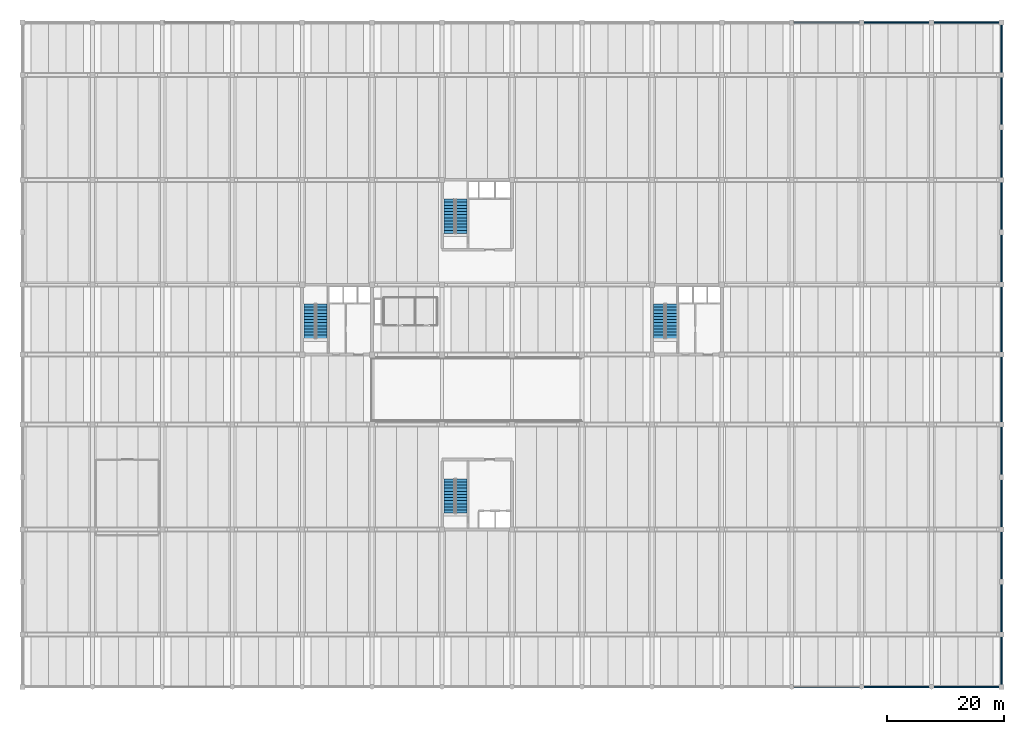
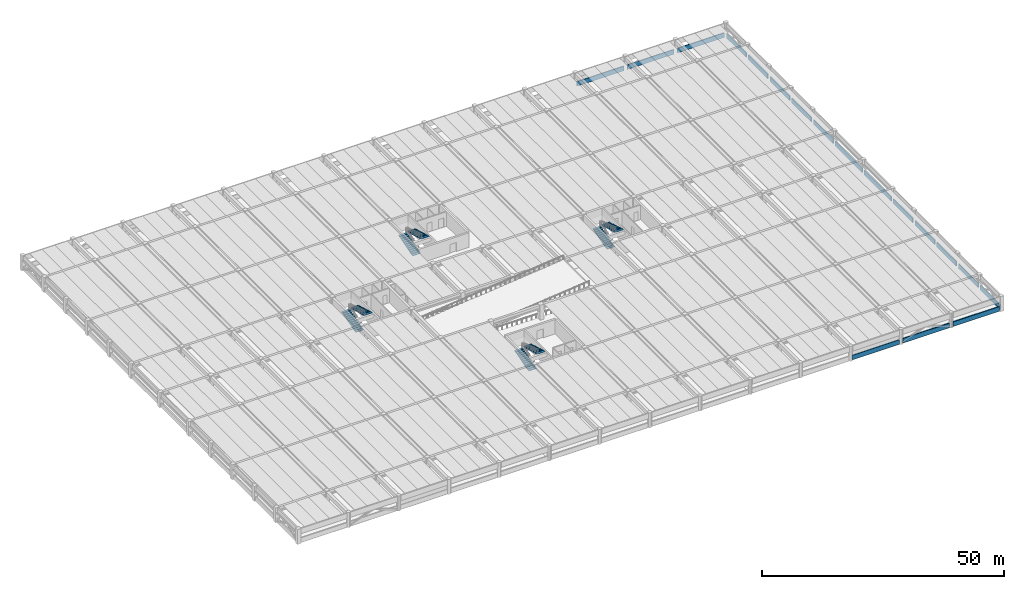
# One storey, part 12 of 19: 18 walls, 8 stair flights, 4 elements without a shape of their own.
"""IFC4 building model written with IfcOpenShell, lengths in metres."""

from ifc_helpers import new_model, si_unit, direction, frame, frame_2d, origin, place, context, subcontext, project, spatial, polyline, rectangle, outline, extrude, material, layer, layer_set, type_object, element, aggregate, save


model = new_model("IFC4")

# Units and contexts
model_context = context("Model", 3, precision=1e-05, world=origin(), true_north=direction((0.0, 1.0)))
body_context = subcontext(model_context, "Body", "Model", "MODEL_VIEW")
ifc_project = project(units=[si_unit("LENGTHUNIT", "METRE"), si_unit("AREAUNIT", "SQUARE_METRE"), si_unit("VOLUMEUNIT", "CUBIC_METRE"), si_unit("PLANEANGLEUNIT", "RADIAN"), si_unit("MASSUNIT", "GRAM", prefix="KILO")], contexts=[model_context])

# Site, building, storey
site_placement = place(None, origin())
site = spatial("IfcSite", under=ifc_project, at=site_placement, CompositionType="ELEMENT")
building_placement = place(site_placement, origin())
building = spatial("IfcBuilding", under=site, at=building_placement, Name="Girod Span Mobility Hub", CompositionType="ELEMENT")
storey_placement = place(building_placement, frame((0.0, 0.0, 9.60009765625)))
storey = spatial("IfcBuildingStorey", under=building, at=storey_placement, Name="L02", CompositionType="ELEMENT", Elevation=9.60009765625)

# Walls
ifc_material_1 = material(Name="Precast Architectural Concrete C40/50", Category="concrete")
ifc_layer = layer(ifc_material_1, 0.239990234375)
ifc_layer_set = layer_set([ifc_layer], Name="Precast Architectural Concrete C40/50")
wall_type = type_object("IfcWallType", Name="W-PAR-240", PredefinedType="PARAPET", material=ifc_layer_set)
for number, where, z_axis, x_axis, name in (
    (1, (132.423095703125, 0.0, 0.0), (0.0, 0.0, 1.0), (1.0, 0.0, 0.0), "Precast Parking Barrier Parapet S-12 L02"),
    (2, (144.423095703125, 0.0, 0.0), (0.0, 0.0, 1.0), (1.0, 0.0, 0.0), "Precast Parking Barrier Parapet S-13 L02"),
    (3, (156.423095703125, 0.0, 0.0), (0.0, 0.0, 1.0), (1.0, 0.0, 0.0), "Precast Parking Barrier Parapet S-14 L02"),
    (4, (132.423095703125, 114.0, 0.0), (0.0, 0.0, 1.0), (1.0, 0.0, 0.0), "Precast Parking Barrier Parapet N-12 L02"),
    (5, (144.423095703125, 114.0, 0.0), (0.0, 0.0, 1.0), (1.0, 0.0, 0.0), "Precast Parking Barrier Parapet N-13 L02"),
    (6, (156.423095703125, 114.0, 0.0), (0.0, 0.0, 1.0), (1.0, 0.0, 0.0), "Precast Parking Barrier Parapet N-14 L02"),
):
    element("IfcWall", number, at=place(storey_placement, frame(where, z_axis=z_axis, x_axis=x_axis)), inside=storey, type_object=wall_type, Name=name, PredefinedType="PARAPET", context=body_context, shape_type="SweptSolid", body=[
        extrude(rectangle(XDim=11.15380859375, YDim=0.239990234375, at=frame_2d((5.576904296875, 0.0))), origin(), (0.0, 0.0, 1.0), 1.14990234375),
    ])
wall_1_placement = place(storey_placement, frame((168.0, 0.423095703125, 0.0), z_axis=(0.0, 0.0, 1.0), x_axis=(0.0, 1.0, 0.0)))
element("IfcWall", 7, at=wall_1_placement, inside=storey, type_object=wall_type, Name="Precast Side Barrier Parapet E-A-1 L02", PredefinedType="PARAPET", context=body_context, shape_type="SweptSolid", body=[
    extrude(rectangle(XDim=8.15380859375, YDim=0.239990234375, at=frame_2d((4.076904296875, 0.0))), origin(), (0.0, 0.0, 1.0), 1.14990234375),
])
for number, where, z_axis, x_axis, name in (
    (8, (168.0, 9.423095703125, 0.0), (0.0, 0.0, 1.0), (0.0, 1.0, 0.0), "Precast Side Barrier Parapet E-B-1 L02"),
    (9, (168.0, 18.472900390625, 0.0), (0.0, 0.0, 1.0), (0.0, 1.0, 0.0), "Precast Side Barrier Parapet E-B-2 L02"),
    (10, (168.0, 27.423095703125, 0.0), (0.0, 0.0, 1.0), (0.0, 1.0, 0.0), "Precast Side Barrier Parapet E-C-1 L02"),
    (11, (168.0, 36.472900390625, 0.0), (0.0, 0.0, 1.0), (0.0, 1.0, 0.0), "Precast Side Barrier Parapet E-C-2 L02"),
):
    element("IfcWall", number, at=place(storey_placement, frame(where, z_axis=z_axis, x_axis=x_axis)), inside=storey, type_object=wall_type, Name=name, PredefinedType="PARAPET", context=body_context, shape_type="SweptSolid", body=[
        extrude(rectangle(XDim=8.10400390625, YDim=0.239990234375, at=frame_2d((4.052001953125, 0.0))), origin(), (0.0, 0.0, 1.0), 1.14990234375),
    ])
for number, where, z_axis, x_axis, name in (
    (12, (168.0, 45.423095703125, 0.0), (0.0, 0.0, 1.0), (0.0, 1.0, 0.0), "Precast Side Barrier Parapet E-D-1 L02"),
    (13, (168.0, 57.423095703125, 0.0), (0.0, 0.0, 1.0), (0.0, 1.0, 0.0), "Precast Side Barrier Parapet E-E-1 L02"),
):
    element("IfcWall", number, at=place(storey_placement, frame(where, z_axis=z_axis, x_axis=x_axis)), inside=storey, type_object=wall_type, Name=name, PredefinedType="PARAPET", context=body_context, shape_type="SweptSolid", body=[
        extrude(rectangle(XDim=11.15380859375, YDim=0.239990234375, at=frame_2d((5.576904296875, 0.0))), origin(), (0.0, 0.0, 1.0), 1.14990234375),
    ])
for number, where, z_axis, x_axis, name in (
    (14, (168.0, 69.423095703125, 0.0), (0.0, 0.0, 1.0), (0.0, 1.0, 0.0), "Precast Side Barrier Parapet E-F-1 L02"),
    (15, (168.0, 78.472900390625, 0.0), (0.0, 0.0, 1.0), (0.0, 1.0, 0.0), "Precast Side Barrier Parapet E-F-2 L02"),
    (16, (168.0, 87.423095703125, 0.0), (0.0, 0.0, 1.0), (0.0, 1.0, 0.0), "Precast Side Barrier Parapet E-G-1 L02"),
    (17, (168.0, 96.472900390625, 0.0), (0.0, 0.0, 1.0), (0.0, 1.0, 0.0), "Precast Side Barrier Parapet E-G-2 L02"),
):
    element("IfcWall", number, at=place(storey_placement, frame(where, z_axis=z_axis, x_axis=x_axis)), inside=storey, type_object=wall_type, Name=name, PredefinedType="PARAPET", context=body_context, shape_type="SweptSolid", body=[
        extrude(rectangle(XDim=8.10400390625, YDim=0.239990234375, at=frame_2d((4.052001953125, 0.0))), origin(), (0.0, 0.0, 1.0), 1.14990234375),
    ])
wall_2_placement = place(storey_placement, frame((168.0, 105.423095703125, 0.0), z_axis=(0.0, 0.0, 1.0), x_axis=(0.0, 1.0, 0.0)))
element("IfcWall", 18, at=wall_2_placement, inside=storey, type_object=wall_type, Name="Precast Side Barrier Parapet E-H-1 L02", PredefinedType="PARAPET", context=body_context, shape_type="SweptSolid", body=[
    extrude(rectangle(XDim=8.15380859375, YDim=0.239990234375, at=frame_2d((4.076904296875, 0.0))), origin(), (0.0, 0.0, 1.0), 1.14990234375),
])

# Stair, stair flights
ifc_material_2 = material(Name="Concrete C40/50", Category="concrete")
stair_type = type_object("IfcStairType", Name="STR-3800-W1860", PredefinedType="HALF_TURN_STAIR", material=ifc_material_2)
stair_1_placement = place(storey_placement, origin())
stair_1 = element("IfcStair", 19, at=stair_1_placement, inside=storey, type_object=stair_type, Name="Exit Stair ST-1 L02", PredefinedType="HALF_TURN_STAIR")
ifc_material_3 = material(Name="Concrete C40/50", Category="concrete")
stair_flight_type = type_object("IfcStairFlightType", Name="STF-1900-W1860", PredefinedType="STRAIGHT", material=ifc_material_3)
stair_flight_1_placement = place(storey_placement, frame((49.25, 59.81005859375, 0.0), z_axis=(0.0, 0.0, 1.0), x_axis=(0.0, 1.0, 0.0)))
stair_flight_1 = element("IfcStairFlight", 20, at=stair_flight_1_placement, type_object=stair_flight_type, Name="Stair ST-1 Flight 1 L02", NumberOfRisers=12, NumberOfTreads=11, PredefinedType="STRAIGHT", RiserHeight=0.15833, TreadLength=0.53455, context=body_context, shape_type="SweptSolid", body=[
    extrude(outline(polyline([(0.0, 0.0), (0.0, 0.158447265625), (0.53466796875, 0.158447265625), (0.53466796875, 0.316650390625), (1.069091796875, 0.316650390625), (1.069091796875, 0.47509765625), (1.603759765625, 0.47509765625), (1.603759765625, 0.63330078125), (2.13818359375, 0.63330078125), (2.13818359375, 0.791748046875), (2.6728515625, 0.791748046875), (2.6728515625, 0.949951171875), (3.207275390625, 0.949951171875), (3.207275390625, 1.1083984375), (3.741943359375, 1.1083984375), (3.741943359375, 1.2666015625), (4.2763671875, 1.2666015625), (4.2763671875, 1.425048828125), (4.81103515625, 1.425048828125), (4.81103515625, 1.583251953125), (5.345458984375, 1.583251953125), (5.345458984375, 1.74169921875), (5.880126953125, 1.74169921875), (5.880126953125, 1.89990234375), (5.880126953125, 1.54345703125), (0.668701171875, 0.0), (0.0, 0.0)])), frame((0.0, 0.93017578125, 0.0), z_axis=(0.0, -1.0, 0.0), x_axis=(1.0, 0.0, 0.0)), (0.0, 0.0, 1.0), 1.860107421875),
])
stair_flight_2_placement = place(storey_placement, frame((51.35009765625, 65.68994140625, 1.89990234375), z_axis=(0.0, 0.0, 1.0), x_axis=(0.0, -1.0, 0.0)))
stair_flight_2 = element("IfcStairFlight", 21, at=stair_flight_2_placement, type_object=stair_flight_type, Name="Stair ST-1 Flight 2 L02", NumberOfRisers=12, NumberOfTreads=11, PredefinedType="STRAIGHT", RiserHeight=0.15833, TreadLength=0.53455, context=body_context, shape_type="SweptSolid", body=[
    extrude(outline(polyline([(0.0, 0.0), (0.0, 0.158447265625), (0.53466796875, 0.158447265625), (0.53466796875, 0.316650390625), (1.069091796875, 0.316650390625), (1.069091796875, 0.47509765625), (1.603759765625, 0.47509765625), (1.603759765625, 0.63330078125), (2.13818359375, 0.63330078125), (2.13818359375, 0.791748046875), (2.6728515625, 0.791748046875), (2.6728515625, 0.949951171875), (3.207275390625, 0.949951171875), (3.207275390625, 1.1083984375), (3.741943359375, 1.1083984375), (3.741943359375, 1.2666015625), (4.2763671875, 1.2666015625), (4.2763671875, 1.425048828125), (4.81103515625, 1.425048828125), (4.81103515625, 1.583251953125), (5.345458984375, 1.583251953125), (5.345458984375, 1.74169921875), (5.880126953125, 1.74169921875), (5.880126953125, 1.89990234375), (5.880126953125, 1.54345703125), (0.668701171875, 0.0), (0.0, 0.0)])), frame((0.0, 0.93017578125, 0.0), z_axis=(0.0, -1.0, 0.0), x_axis=(1.0, 0.0, 0.0)), (0.0, 0.0, 1.0), 1.860107421875),
])
aggregate(stair_1, [stair_flight_1, stair_flight_2])

stair_2_placement = place(storey_placement, origin())
stair_2 = element("IfcStair", 22, at=stair_2_placement, inside=storey, type_object=stair_type, Name="Exit Stair ST-2 L02", PredefinedType="HALF_TURN_STAIR")
stair_flight_3_placement = place(storey_placement, frame((109.25, 59.81005859375, 0.0), z_axis=(0.0, 0.0, 1.0), x_axis=(0.0, 1.0, 0.0)))
stair_flight_3 = element("IfcStairFlight", 23, at=stair_flight_3_placement, type_object=stair_flight_type, Name="Stair ST-2 Flight 1 L02", NumberOfRisers=12, NumberOfTreads=11, PredefinedType="STRAIGHT", RiserHeight=0.15833, TreadLength=0.53455, context=body_context, shape_type="SweptSolid", body=[
    extrude(outline(polyline([(0.0, 0.0), (0.0, 0.158447265625), (0.53466796875, 0.158447265625), (0.53466796875, 0.316650390625), (1.069091796875, 0.316650390625), (1.069091796875, 0.47509765625), (1.603759765625, 0.47509765625), (1.603759765625, 0.63330078125), (2.13818359375, 0.63330078125), (2.13818359375, 0.791748046875), (2.6728515625, 0.791748046875), (2.6728515625, 0.949951171875), (3.207275390625, 0.949951171875), (3.207275390625, 1.1083984375), (3.741943359375, 1.1083984375), (3.741943359375, 1.2666015625), (4.2763671875, 1.2666015625), (4.2763671875, 1.425048828125), (4.81103515625, 1.425048828125), (4.81103515625, 1.583251953125), (5.345458984375, 1.583251953125), (5.345458984375, 1.74169921875), (5.880126953125, 1.74169921875), (5.880126953125, 1.89990234375), (5.880126953125, 1.54345703125), (0.668701171875, 0.0), (0.0, 0.0)])), frame((0.0, 0.93017578125, 0.0), z_axis=(0.0, -1.0, 0.0), x_axis=(1.0, 0.0, 0.0)), (0.0, 0.0, 1.0), 1.860107421875),
])
stair_flight_4_placement = place(storey_placement, frame((111.35009765625, 65.68994140625, 1.89990234375), z_axis=(0.0, 0.0, 1.0), x_axis=(0.0, -1.0, 0.0)))
stair_flight_4 = element("IfcStairFlight", 24, at=stair_flight_4_placement, type_object=stair_flight_type, Name="Stair ST-2 Flight 2 L02", NumberOfRisers=12, NumberOfTreads=11, PredefinedType="STRAIGHT", RiserHeight=0.15833, TreadLength=0.53455, context=body_context, shape_type="SweptSolid", body=[
    extrude(outline(polyline([(0.0, 0.0), (0.0, 0.158447265625), (0.53466796875, 0.158447265625), (0.53466796875, 0.316650390625), (1.069091796875, 0.316650390625), (1.069091796875, 0.47509765625), (1.603759765625, 0.47509765625), (1.603759765625, 0.63330078125), (2.13818359375, 0.63330078125), (2.13818359375, 0.791748046875), (2.6728515625, 0.791748046875), (2.6728515625, 0.949951171875), (3.207275390625, 0.949951171875), (3.207275390625, 1.1083984375), (3.741943359375, 1.1083984375), (3.741943359375, 1.2666015625), (4.2763671875, 1.2666015625), (4.2763671875, 1.425048828125), (4.81103515625, 1.425048828125), (4.81103515625, 1.583251953125), (5.345458984375, 1.583251953125), (5.345458984375, 1.74169921875), (5.880126953125, 1.74169921875), (5.880126953125, 1.89990234375), (5.880126953125, 1.54345703125), (0.668701171875, 0.0), (0.0, 0.0)])), frame((0.0, 0.93017578125, 0.0), z_axis=(0.0, -1.0, 0.0), x_axis=(1.0, 0.0, 0.0)), (0.0, 0.0, 1.0), 1.860107421875),
])
aggregate(stair_2, [stair_flight_3, stair_flight_4])

stair_3_placement = place(storey_placement, origin())
stair_3 = element("IfcStair", 25, at=stair_3_placement, inside=storey, type_object=stair_type, Name="Exit Stair ST-3 L02", PredefinedType="HALF_TURN_STAIR")
stair_flight_5_placement = place(storey_placement, frame((73.25, 29.81005859375, 0.0), z_axis=(0.0, 0.0, 1.0), x_axis=(0.0, 1.0, 0.0)))
stair_flight_5 = element("IfcStairFlight", 26, at=stair_flight_5_placement, type_object=stair_flight_type, Name="Stair ST-3 Flight 1 L02", NumberOfRisers=12, NumberOfTreads=11, PredefinedType="STRAIGHT", RiserHeight=0.15833, TreadLength=0.53455, context=body_context, shape_type="SweptSolid", body=[
    extrude(outline(polyline([(0.0, 0.0), (0.0, 0.158447265625), (0.53466796875, 0.158447265625), (0.53466796875, 0.316650390625), (1.069091796875, 0.316650390625), (1.069091796875, 0.47509765625), (1.603759765625, 0.47509765625), (1.603759765625, 0.63330078125), (2.13818359375, 0.63330078125), (2.13818359375, 0.791748046875), (2.6728515625, 0.791748046875), (2.6728515625, 0.949951171875), (3.207275390625, 0.949951171875), (3.207275390625, 1.1083984375), (3.741943359375, 1.1083984375), (3.741943359375, 1.2666015625), (4.2763671875, 1.2666015625), (4.2763671875, 1.425048828125), (4.81103515625, 1.425048828125), (4.81103515625, 1.583251953125), (5.345458984375, 1.583251953125), (5.345458984375, 1.74169921875), (5.880126953125, 1.74169921875), (5.880126953125, 1.89990234375), (5.880126953125, 1.54345703125), (0.668701171875, 0.0), (0.0, 0.0)])), frame((0.0, 0.93017578125, 0.0), z_axis=(0.0, -1.0, 0.0), x_axis=(1.0, 0.0, 0.0)), (0.0, 0.0, 1.0), 1.860107421875),
])
stair_flight_6_placement = place(storey_placement, frame((75.35009765625, 35.68994140625, 1.89990234375), z_axis=(0.0, 0.0, 1.0), x_axis=(0.0, -1.0, 0.0)))
stair_flight_6 = element("IfcStairFlight", 27, at=stair_flight_6_placement, type_object=stair_flight_type, Name="Stair ST-3 Flight 2 L02", NumberOfRisers=12, NumberOfTreads=11, PredefinedType="STRAIGHT", RiserHeight=0.15833, TreadLength=0.53455, context=body_context, shape_type="SweptSolid", body=[
    extrude(outline(polyline([(0.0, 0.0), (0.0, 0.158447265625), (0.53466796875, 0.158447265625), (0.53466796875, 0.316650390625), (1.069091796875, 0.316650390625), (1.069091796875, 0.47509765625), (1.603759765625, 0.47509765625), (1.603759765625, 0.63330078125), (2.13818359375, 0.63330078125), (2.13818359375, 0.791748046875), (2.6728515625, 0.791748046875), (2.6728515625, 0.949951171875), (3.207275390625, 0.949951171875), (3.207275390625, 1.1083984375), (3.741943359375, 1.1083984375), (3.741943359375, 1.2666015625), (4.2763671875, 1.2666015625), (4.2763671875, 1.425048828125), (4.81103515625, 1.425048828125), (4.81103515625, 1.583251953125), (5.345458984375, 1.583251953125), (5.345458984375, 1.74169921875), (5.880126953125, 1.74169921875), (5.880126953125, 1.89990234375), (5.880126953125, 1.54345703125), (0.668701171875, 0.0), (0.0, 0.0)])), frame((0.0, 0.93017578125, 0.0), z_axis=(0.0, -1.0, 0.0), x_axis=(1.0, 0.0, 0.0)), (0.0, 0.0, 1.0), 1.860107421875),
])
aggregate(stair_3, [stair_flight_5, stair_flight_6])

stair_4_placement = place(storey_placement, origin())
stair_4 = element("IfcStair", 28, at=stair_4_placement, inside=storey, type_object=stair_type, Name="Exit Stair ST-4 L02", PredefinedType="HALF_TURN_STAIR")
stair_flight_7_placement = place(storey_placement, frame((73.25, 77.81005859375, 0.0), z_axis=(0.0, 0.0, 1.0), x_axis=(0.0, 1.0, 0.0)))
stair_flight_7 = element("IfcStairFlight", 29, at=stair_flight_7_placement, type_object=stair_flight_type, Name="Stair ST-4 Flight 1 L02", NumberOfRisers=12, NumberOfTreads=11, PredefinedType="STRAIGHT", RiserHeight=0.15833, TreadLength=0.53455, context=body_context, shape_type="SweptSolid", body=[
    extrude(outline(polyline([(0.0, 0.0), (0.0, 0.158447265625), (0.53466796875, 0.158447265625), (0.53466796875, 0.316650390625), (1.069091796875, 0.316650390625), (1.069091796875, 0.47509765625), (1.603759765625, 0.47509765625), (1.603759765625, 0.63330078125), (2.13818359375, 0.63330078125), (2.13818359375, 0.791748046875), (2.6728515625, 0.791748046875), (2.6728515625, 0.949951171875), (3.207275390625, 0.949951171875), (3.207275390625, 1.1083984375), (3.741943359375, 1.1083984375), (3.741943359375, 1.2666015625), (4.2763671875, 1.2666015625), (4.2763671875, 1.425048828125), (4.81103515625, 1.425048828125), (4.81103515625, 1.583251953125), (5.345458984375, 1.583251953125), (5.345458984375, 1.74169921875), (5.880126953125, 1.74169921875), (5.880126953125, 1.89990234375), (5.880126953125, 1.54345703125), (0.668701171875, 0.0), (0.0, 0.0)])), frame((0.0, 0.93017578125, 0.0), z_axis=(0.0, -1.0, 0.0), x_axis=(1.0, 0.0, 0.0)), (0.0, 0.0, 1.0), 1.860107421875),
])
stair_flight_8_placement = place(storey_placement, frame((75.35009765625, 83.68994140625, 1.89990234375), z_axis=(0.0, 0.0, 1.0), x_axis=(0.0, -1.0, 0.0)))
stair_flight_8 = element("IfcStairFlight", 30, at=stair_flight_8_placement, type_object=stair_flight_type, Name="Stair ST-4 Flight 2 L02", NumberOfRisers=12, NumberOfTreads=11, PredefinedType="STRAIGHT", RiserHeight=0.15833, TreadLength=0.53455, context=body_context, shape_type="SweptSolid", body=[
    extrude(outline(polyline([(0.0, 0.0), (0.0, 0.158447265625), (0.53466796875, 0.158447265625), (0.53466796875, 0.316650390625), (1.069091796875, 0.316650390625), (1.069091796875, 0.47509765625), (1.603759765625, 0.47509765625), (1.603759765625, 0.63330078125), (2.13818359375, 0.63330078125), (2.13818359375, 0.791748046875), (2.6728515625, 0.791748046875), (2.6728515625, 0.949951171875), (3.207275390625, 0.949951171875), (3.207275390625, 1.1083984375), (3.741943359375, 1.1083984375), (3.741943359375, 1.2666015625), (4.2763671875, 1.2666015625), (4.2763671875, 1.425048828125), (4.81103515625, 1.425048828125), (4.81103515625, 1.583251953125), (5.345458984375, 1.583251953125), (5.345458984375, 1.74169921875), (5.880126953125, 1.74169921875), (5.880126953125, 1.89990234375), (5.880126953125, 1.54345703125), (0.668701171875, 0.0), (0.0, 0.0)])), frame((0.0, 0.93017578125, 0.0), z_axis=(0.0, -1.0, 0.0), x_axis=(1.0, 0.0, 0.0)), (0.0, 0.0, 1.0), 1.860107421875),
])
aggregate(stair_4, [stair_flight_7, stair_flight_8])

save(model, "model.ifc")
